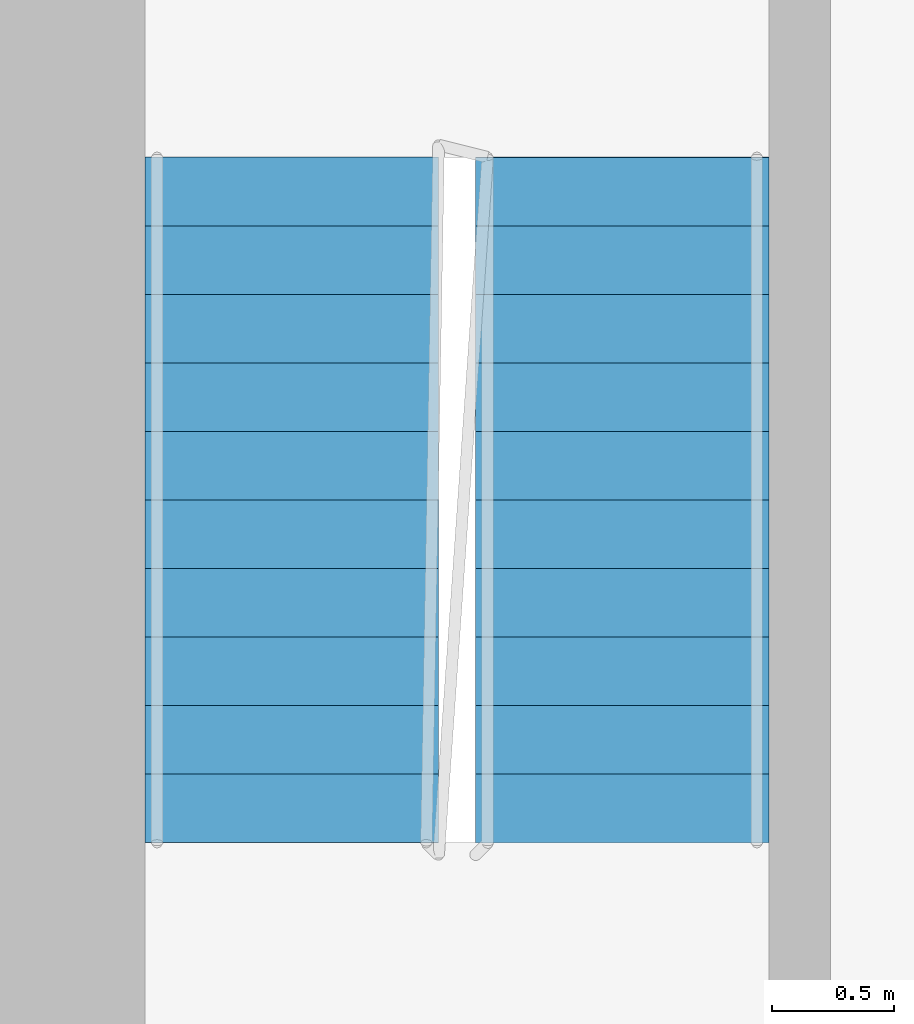
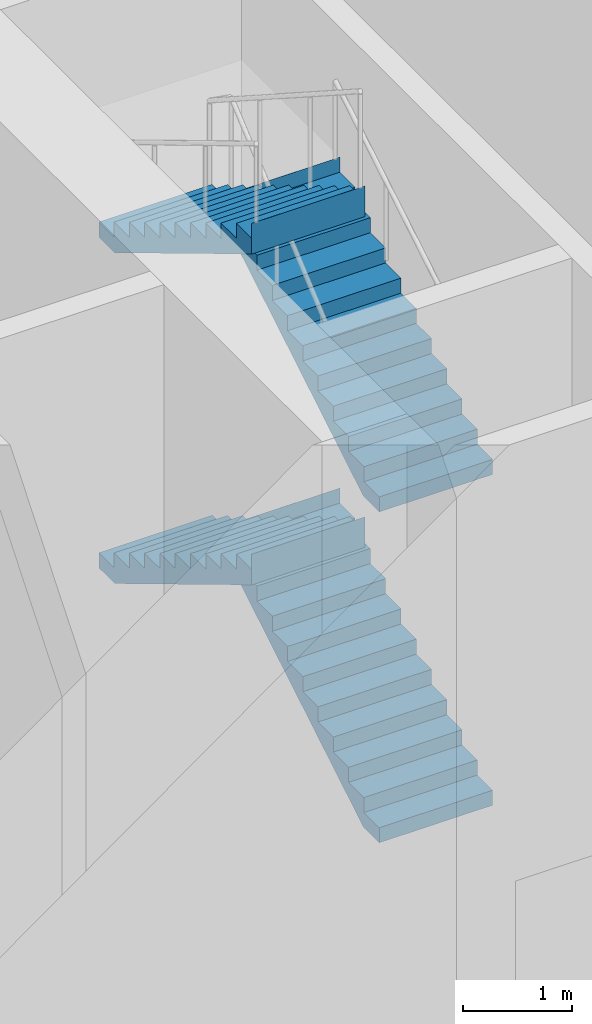
# One storey, part 21 of 25: 4 stair flights, 1 element without a shape of its own.
"""IFC4 building model written with IfcOpenShell, lengths in metres."""

from ifc_helpers import new_model, si_unit, direction, frame, origin, place, context, subcontext, project, spatial, faceted_brep, material, type_object, element, aggregate, save


model = new_model("IFC4")

# Units and contexts
model_context = context("Model", 3, precision=1e-05, world=origin(), true_north=direction((0.0, 1.0)))
body_context = subcontext(model_context, "Body", "Model", "MODEL_VIEW")
ifc_project = project(units=[si_unit("LENGTHUNIT", "METRE"), si_unit("AREAUNIT", "SQUARE_METRE"), si_unit("VOLUMEUNIT", "CUBIC_METRE"), si_unit("PLANEANGLEUNIT", "RADIAN"), si_unit("MASSUNIT", "GRAM", prefix="KILO")], contexts=[model_context])

# Site, building, storey
site_placement = place(None, origin())
site = spatial("IfcSite", under=ifc_project, at=site_placement, CompositionType="ELEMENT")
building_placement = place(site_placement, origin())
building = spatial("IfcBuilding", under=site, at=building_placement, Name="Kajstack Hotel Tower", CompositionType="ELEMENT")
storey_placement = place(building_placement, frame((0.0, 0.0, 155.0)))
storey = spatial("IfcBuildingStorey", under=building, at=storey_placement, Name="L36", CompositionType="ELEMENT", Elevation=155.0)

# Stair, stair flights
ifc_material = material(Name="Concrete C40/50", Category="concrete")
stair_type = type_object("IfcStairType", Name="Exit stair 1200", PredefinedType="HALF_TURN_STAIR", material=ifc_material)
stair_placement = place(storey_placement, origin())
stair = element("IfcStair", 1, at=stair_placement, inside=storey, type_object=stair_type, Name="L36 stair E1", PredefinedType="HALF_TURN_STAIR")
stair_flight_type = type_object("IfcStairFlightType", Name="Exit stair flight 1200", PredefinedType="STRAIGHT", material=ifc_material)
stair_flight_1_placement = place(storey_placement, frame((33.449951171875, 5.25, 0.0), z_axis=(0.0, 0.0, 1.0), x_axis=(0.0, 1.0, 0.0)))
stair_flight_1 = element("IfcStairFlight", 2, at=stair_flight_1_placement, type_object=stair_flight_type, Name="E1 flight 1", NumberOfRisers=11, NumberOfTreads=10, PredefinedType="STRAIGHT", RiserHeight=0.168181818, TreadLength=0.28, context=body_context, shape_type="Brep", body=[
    faceted_brep([(0.291748046875, -0.60009765625, 0.0), (2.800537109375, -0.60009765625, 1.5068359375), (2.800537109375, -0.60009765625, 1.85009765625), (2.800048828125, -0.60009765625, 1.85009765625), (2.800048828125, -0.60009765625, 1.681884765625), (2.52001953125, -0.60009765625, 1.681884765625), (2.52001953125, -0.60009765625, 1.513671875), (2.239990234375, -0.60009765625, 1.513671875), (2.239990234375, -0.60009765625, 1.345458984375), (1.9599609375, -0.60009765625, 1.345458984375), (1.9599609375, -0.60009765625, 1.17724609375), (1.679931640625, -0.60009765625, 1.17724609375), (1.679931640625, -0.60009765625, 1.009033203125), (1.39990234375, -0.60009765625, 1.009033203125), (1.39990234375, -0.60009765625, 0.8408203125), (1.1201171875, -0.60009765625, 0.8408203125), (1.1201171875, -0.60009765625, 0.672607421875), (0.840087890625, -0.60009765625, 0.672607421875), (0.840087890625, -0.60009765625, 0.504638671875), (0.56005859375, -0.60009765625, 0.504638671875), (0.56005859375, -0.60009765625, 0.33642578125), (0.280029296875, -0.60009765625, 0.33642578125), (0.280029296875, -0.60009765625, 0.168212890625), (-0.00048828125, -0.60009765625, 0.168212890625), (-0.00048828125, -0.60009765625, 0.0), (-0.00048828125, 0.60009765625, 0.0), (-0.00048828125, 0.60009765625, 0.168212890625), (0.280029296875, 0.60009765625, 0.168212890625), (0.280029296875, 0.60009765625, 0.33642578125), (0.56005859375, 0.60009765625, 0.33642578125), (0.56005859375, 0.60009765625, 0.504638671875), (0.840087890625, 0.60009765625, 0.504638671875), (0.840087890625, 0.60009765625, 0.672607421875), (1.1201171875, 0.60009765625, 0.672607421875), (1.1201171875, 0.60009765625, 0.8408203125), (1.39990234375, 0.60009765625, 0.8408203125), (1.39990234375, 0.60009765625, 1.009033203125), (1.679931640625, 0.60009765625, 1.009033203125), (1.679931640625, 0.60009765625, 1.17724609375), (1.9599609375, 0.60009765625, 1.17724609375), (1.9599609375, 0.60009765625, 1.345458984375), (2.239990234375, 0.60009765625, 1.345458984375), (2.239990234375, 0.60009765625, 1.513671875), (2.52001953125, 0.60009765625, 1.513671875), (2.52001953125, 0.60009765625, 1.681884765625), (2.800048828125, 0.60009765625, 1.681884765625), (2.800048828125, 0.60009765625, 1.85009765625), (2.800537109375, 0.60009765625, 1.85009765625), (2.800537109375, 0.60009765625, 1.5068359375), (0.291748046875, 0.60009765625, 0.0), (-0.00048828125, -0.300048828125, 0.168212890625), (-0.00048828125, 0.0, 0.168212890625), (-0.00048828125, 0.300048828125, 0.168212890625), (-0.00048828125, 0.300048828125, 0.0), (-0.00048828125, 0.0, 0.0), (-0.00048828125, -0.300048828125, 0.0), (0.280029296875, -0.300048828125, 0.168212890625), (0.280029296875, 0.0, 0.168212890625), (0.280029296875, 0.300048828125, 0.168212890625), (0.280029296875, -0.300048828125, 0.33642578125), (0.280029296875, 0.0, 0.33642578125), (0.280029296875, 0.300048828125, 0.33642578125), (0.56005859375, -0.300048828125, 0.33642578125), (0.56005859375, 0.0, 0.33642578125), (0.56005859375, 0.300048828125, 0.33642578125), (0.56005859375, -0.300048828125, 0.504638671875), (0.56005859375, 0.0, 0.504638671875), (0.56005859375, 0.300048828125, 0.504638671875), (0.840087890625, -0.300048828125, 0.504638671875), (0.840087890625, 0.0, 0.504638671875), (0.840087890625, 0.300048828125, 0.504638671875), (0.840087890625, -0.300048828125, 0.672607421875), (0.840087890625, 0.0, 0.672607421875), (0.840087890625, 0.300048828125, 0.672607421875), (1.1201171875, -0.300048828125, 0.672607421875), (1.1201171875, 0.0, 0.672607421875), (1.1201171875, 0.300048828125, 0.672607421875), (1.1201171875, -0.300048828125, 0.8408203125), (1.1201171875, 0.0, 0.8408203125), (1.1201171875, 0.300048828125, 0.8408203125), (1.39990234375, -0.300048828125, 0.8408203125), (1.39990234375, 0.0, 0.8408203125), (1.39990234375, 0.300048828125, 0.8408203125), (1.39990234375, -0.300048828125, 1.009033203125), (1.39990234375, 0.0, 1.009033203125), (1.39990234375, 0.300048828125, 1.009033203125), (1.679931640625, -0.300048828125, 1.009033203125), (1.679931640625, 0.0, 1.009033203125), (1.679931640625, 0.300048828125, 1.009033203125), (1.679931640625, -0.300048828125, 1.17724609375), (1.679931640625, 0.0, 1.17724609375), (1.679931640625, 0.300048828125, 1.17724609375), (1.9599609375, -0.300048828125, 1.17724609375), (1.9599609375, 0.0, 1.17724609375), (1.9599609375, 0.300048828125, 1.17724609375), (1.9599609375, -0.300048828125, 1.345458984375), (1.9599609375, 0.0, 1.345458984375), (1.9599609375, 0.300048828125, 1.345458984375), (2.239990234375, -0.300048828125, 1.345458984375), (2.239990234375, 0.0, 1.345458984375), (2.239990234375, 0.300048828125, 1.345458984375), (2.239990234375, -0.300048828125, 1.513671875), (2.239990234375, 0.0, 1.513671875), (2.239990234375, 0.300048828125, 1.513671875), (2.52001953125, -0.300048828125, 1.513671875), (2.52001953125, 0.0, 1.513671875), (2.52001953125, 0.300048828125, 1.513671875), (2.52001953125, -0.300048828125, 1.681884765625), (2.52001953125, 0.0, 1.681884765625), (2.52001953125, 0.300048828125, 1.681884765625), (2.800048828125, -0.300048828125, 1.681884765625), (2.800048828125, 0.0, 1.681884765625), (2.800048828125, 0.300048828125, 1.681884765625), (2.800048828125, -0.300048828125, 1.85009765625), (2.800048828125, 0.0, 1.85009765625), (2.800048828125, 0.300048828125, 1.85009765625), (2.800537109375, -0.300048828125, 1.85009765625), (2.800537109375, 0.0, 1.85009765625), (2.800537109375, 0.300048828125, 1.85009765625), (2.800537109375, -0.300048828125, 1.5068359375), (2.800537109375, 0.0, 1.5068359375), (2.800537109375, 0.300048828125, 1.5068359375), (0.291748046875, -0.300048828125, 0.0), (0.291748046875, 0.0, 0.0), (0.291748046875, 0.300048828125, 0.0)], [[[0, 1, 2, 3, 4, 5, 6, 7, 8, 9, 10, 11, 12, 13, 14, 15, 16, 17, 18, 19, 20, 21, 22, 23, 24]], [[25, 26, 27, 28, 29, 30, 31, 32, 33, 34, 35, 36, 37, 38, 39, 40, 41, 42, 43, 44, 45, 46, 47, 48, 49]], [[23, 50, 51, 52, 26, 25, 53, 54, 55, 24]], [[22, 56, 57, 58, 27, 26, 52, 51, 50, 23]], [[21, 59, 60, 61, 28, 27, 58, 57, 56, 22]], [[20, 62, 63, 64, 29, 28, 61, 60, 59, 21]], [[19, 65, 66, 67, 30, 29, 64, 63, 62, 20]], [[18, 68, 69, 70, 31, 30, 67, 66, 65, 19]], [[17, 71, 72, 73, 32, 31, 70, 69, 68, 18]], [[16, 74, 75, 76, 33, 32, 73, 72, 71, 17]], [[15, 77, 78, 79, 34, 33, 76, 75, 74, 16]], [[14, 80, 81, 82, 35, 34, 79, 78, 77, 15]], [[13, 83, 84, 85, 36, 35, 82, 81, 80, 14]], [[12, 86, 87, 88, 37, 36, 85, 84, 83, 13]], [[11, 89, 90, 91, 38, 37, 88, 87, 86, 12]], [[10, 92, 93, 94, 39, 38, 91, 90, 89, 11]], [[9, 95, 96, 97, 40, 39, 94, 93, 92, 10]], [[8, 98, 99, 100, 41, 40, 97, 96, 95, 9]], [[7, 101, 102, 103, 42, 41, 100, 99, 98, 8]], [[6, 104, 105, 106, 43, 42, 103, 102, 101, 7]], [[5, 107, 108, 109, 44, 43, 106, 105, 104, 6]], [[4, 110, 111, 112, 45, 44, 109, 108, 107, 5]], [[3, 113, 114, 115, 46, 45, 112, 111, 110, 4]], [[2, 116, 117, 118, 47, 46, 115, 114, 113, 3]], [[1, 119, 120, 121, 48, 47, 118, 117, 116, 2]], [[0, 122, 123, 124, 49, 48, 121, 120, 119, 1]], [[24, 55, 54, 53, 25, 49, 124, 123, 122, 0]]]),
])
stair_flight_2_placement = place(storey_placement, frame((32.10009765625, 8.050048828125, 1.85009765625), z_axis=(0.0, 0.0, 1.0), x_axis=(0.0, -1.0, 0.0)))
stair_flight_2 = element("IfcStairFlight", 3, at=stair_flight_2_placement, type_object=stair_flight_type, Name="E1 flight 2", NumberOfRisers=11, NumberOfTreads=10, PredefinedType="STRAIGHT", RiserHeight=0.168181818, TreadLength=0.28, context=body_context, shape_type="Brep", body=[
    faceted_brep([(0.291748046875, -0.60009765625, 0.0), (2.800537109375, -0.60009765625, 1.5068359375), (2.800537109375, -0.60009765625, 1.85009765625), (2.800048828125, -0.60009765625, 1.85009765625), (2.800048828125, -0.60009765625, 1.681884765625), (2.52001953125, -0.60009765625, 1.681884765625), (2.52001953125, -0.60009765625, 1.513671875), (2.239990234375, -0.60009765625, 1.513671875), (2.239990234375, -0.60009765625, 1.345458984375), (1.9599609375, -0.60009765625, 1.345458984375), (1.9599609375, -0.60009765625, 1.17724609375), (1.679931640625, -0.60009765625, 1.17724609375), (1.679931640625, -0.60009765625, 1.009033203125), (1.39990234375, -0.60009765625, 1.009033203125), (1.39990234375, -0.60009765625, 0.8408203125), (1.1201171875, -0.60009765625, 0.8408203125), (1.1201171875, -0.60009765625, 0.672607421875), (0.840087890625, -0.60009765625, 0.672607421875), (0.840087890625, -0.60009765625, 0.504638671875), (0.56005859375, -0.60009765625, 0.504638671875), (0.56005859375, -0.60009765625, 0.33642578125), (0.280029296875, -0.60009765625, 0.33642578125), (0.280029296875, -0.60009765625, 0.168212890625), (-0.00048828125, -0.60009765625, 0.168212890625), (-0.00048828125, -0.60009765625, 0.0), (-0.00048828125, 0.60009765625, 0.0), (-0.00048828125, 0.60009765625, 0.168212890625), (0.280029296875, 0.60009765625, 0.168212890625), (0.280029296875, 0.60009765625, 0.33642578125), (0.56005859375, 0.60009765625, 0.33642578125), (0.56005859375, 0.60009765625, 0.504638671875), (0.840087890625, 0.60009765625, 0.504638671875), (0.840087890625, 0.60009765625, 0.672607421875), (1.1201171875, 0.60009765625, 0.672607421875), (1.1201171875, 0.60009765625, 0.8408203125), (1.39990234375, 0.60009765625, 0.8408203125), (1.39990234375, 0.60009765625, 1.009033203125), (1.679931640625, 0.60009765625, 1.009033203125), (1.679931640625, 0.60009765625, 1.17724609375), (1.9599609375, 0.60009765625, 1.17724609375), (1.9599609375, 0.60009765625, 1.345458984375), (2.239990234375, 0.60009765625, 1.345458984375), (2.239990234375, 0.60009765625, 1.513671875), (2.52001953125, 0.60009765625, 1.513671875), (2.52001953125, 0.60009765625, 1.681884765625), (2.800048828125, 0.60009765625, 1.681884765625), (2.800048828125, 0.60009765625, 1.85009765625), (2.800537109375, 0.60009765625, 1.85009765625), (2.800537109375, 0.60009765625, 1.5068359375), (0.291748046875, 0.60009765625, 0.0), (-0.00048828125, -0.300048828125, 0.168212890625), (-0.00048828125, 0.0, 0.168212890625), (-0.00048828125, 0.300048828125, 0.168212890625), (-0.00048828125, 0.300048828125, 0.0), (-0.00048828125, 0.0, 0.0), (-0.00048828125, -0.300048828125, 0.0), (0.280029296875, -0.300048828125, 0.168212890625), (0.280029296875, 0.0, 0.168212890625), (0.280029296875, 0.300048828125, 0.168212890625), (0.280029296875, -0.300048828125, 0.33642578125), (0.280029296875, 0.0, 0.33642578125), (0.280029296875, 0.300048828125, 0.33642578125), (0.56005859375, -0.300048828125, 0.33642578125), (0.56005859375, 0.0, 0.33642578125), (0.56005859375, 0.300048828125, 0.33642578125), (0.56005859375, -0.300048828125, 0.504638671875), (0.56005859375, 0.0, 0.504638671875), (0.56005859375, 0.300048828125, 0.504638671875), (0.840087890625, -0.300048828125, 0.504638671875), (0.840087890625, 0.0, 0.504638671875), (0.840087890625, 0.300048828125, 0.504638671875), (0.840087890625, -0.300048828125, 0.672607421875), (0.840087890625, 0.0, 0.672607421875), (0.840087890625, 0.300048828125, 0.672607421875), (1.1201171875, -0.300048828125, 0.672607421875), (1.1201171875, 0.0, 0.672607421875), (1.1201171875, 0.300048828125, 0.672607421875), (1.1201171875, -0.300048828125, 0.8408203125), (1.1201171875, 0.0, 0.8408203125), (1.1201171875, 0.300048828125, 0.8408203125), (1.39990234375, -0.300048828125, 0.8408203125), (1.39990234375, 0.0, 0.8408203125), (1.39990234375, 0.300048828125, 0.8408203125), (1.39990234375, -0.300048828125, 1.009033203125), (1.39990234375, 0.0, 1.009033203125), (1.39990234375, 0.300048828125, 1.009033203125), (1.679931640625, -0.300048828125, 1.009033203125), (1.679931640625, 0.0, 1.009033203125), (1.679931640625, 0.300048828125, 1.009033203125), (1.679931640625, -0.300048828125, 1.17724609375), (1.679931640625, 0.0, 1.17724609375), (1.679931640625, 0.300048828125, 1.17724609375), (1.9599609375, -0.300048828125, 1.17724609375), (1.9599609375, 0.0, 1.17724609375), (1.9599609375, 0.300048828125, 1.17724609375), (1.9599609375, -0.300048828125, 1.345458984375), (1.9599609375, 0.0, 1.345458984375), (1.9599609375, 0.300048828125, 1.345458984375), (2.239990234375, -0.300048828125, 1.345458984375), (2.239990234375, 0.0, 1.345458984375), (2.239990234375, 0.300048828125, 1.345458984375), (2.239990234375, -0.300048828125, 1.513671875), (2.239990234375, 0.0, 1.513671875), (2.239990234375, 0.300048828125, 1.513671875), (2.52001953125, -0.300048828125, 1.513671875), (2.52001953125, 0.0, 1.513671875), (2.52001953125, 0.300048828125, 1.513671875), (2.52001953125, -0.300048828125, 1.681884765625), (2.52001953125, 0.0, 1.681884765625), (2.52001953125, 0.300048828125, 1.681884765625), (2.800048828125, -0.300048828125, 1.681884765625), (2.800048828125, 0.0, 1.681884765625), (2.800048828125, 0.300048828125, 1.681884765625), (2.800048828125, -0.300048828125, 1.85009765625), (2.800048828125, 0.0, 1.85009765625), (2.800048828125, 0.300048828125, 1.85009765625), (2.800537109375, -0.300048828125, 1.85009765625), (2.800537109375, 0.0, 1.85009765625), (2.800537109375, 0.300048828125, 1.85009765625), (2.800537109375, -0.300048828125, 1.5068359375), (2.800537109375, 0.0, 1.5068359375), (2.800537109375, 0.300048828125, 1.5068359375), (0.291748046875, -0.300048828125, 0.0), (0.291748046875, 0.0, 0.0), (0.291748046875, 0.300048828125, 0.0)], [[[0, 1, 2, 3, 4, 5, 6, 7, 8, 9, 10, 11, 12, 13, 14, 15, 16, 17, 18, 19, 20, 21, 22, 23, 24]], [[25, 26, 27, 28, 29, 30, 31, 32, 33, 34, 35, 36, 37, 38, 39, 40, 41, 42, 43, 44, 45, 46, 47, 48, 49]], [[23, 50, 51, 52, 26, 25, 53, 54, 55, 24]], [[22, 56, 57, 58, 27, 26, 52, 51, 50, 23]], [[21, 59, 60, 61, 28, 27, 58, 57, 56, 22]], [[20, 62, 63, 64, 29, 28, 61, 60, 59, 21]], [[19, 65, 66, 67, 30, 29, 64, 63, 62, 20]], [[18, 68, 69, 70, 31, 30, 67, 66, 65, 19]], [[17, 71, 72, 73, 32, 31, 70, 69, 68, 18]], [[16, 74, 75, 76, 33, 32, 73, 72, 71, 17]], [[15, 77, 78, 79, 34, 33, 76, 75, 74, 16]], [[14, 80, 81, 82, 35, 34, 79, 78, 77, 15]], [[13, 83, 84, 85, 36, 35, 82, 81, 80, 14]], [[12, 86, 87, 88, 37, 36, 85, 84, 83, 13]], [[11, 89, 90, 91, 38, 37, 88, 87, 86, 12]], [[10, 92, 93, 94, 39, 38, 91, 90, 89, 11]], [[9, 95, 96, 97, 40, 39, 94, 93, 92, 10]], [[8, 98, 99, 100, 41, 40, 97, 96, 95, 9]], [[7, 101, 102, 103, 42, 41, 100, 99, 98, 8]], [[6, 104, 105, 106, 43, 42, 103, 102, 101, 7]], [[5, 107, 108, 109, 44, 43, 106, 105, 104, 6]], [[4, 110, 111, 112, 45, 44, 109, 108, 107, 5]], [[3, 113, 114, 115, 46, 45, 112, 111, 110, 4]], [[2, 116, 117, 118, 47, 46, 115, 114, 113, 3]], [[1, 119, 120, 121, 48, 47, 118, 117, 116, 2]], [[0, 122, 123, 124, 49, 48, 121, 120, 119, 1]], [[24, 55, 54, 53, 25, 49, 124, 123, 122, 0]]]),
])
stair_flight_3_placement = place(storey_placement, frame((33.449951171875, 5.25, 3.699951171875), z_axis=(0.0, 0.0, 1.0), x_axis=(0.0, 1.0, 0.0)))
stair_flight_3 = element("IfcStairFlight", 4, at=stair_flight_3_placement, type_object=stair_flight_type, Name="E1 flight 3", NumberOfRisers=11, NumberOfTreads=10, PredefinedType="STRAIGHT", RiserHeight=0.168181818, TreadLength=0.28, context=body_context, shape_type="Brep", body=[
    faceted_brep([(0.291748046875, -0.60009765625, 0.0), (2.800537109375, -0.60009765625, 1.5068359375), (2.800537109375, -0.60009765625, 1.85009765625), (2.800048828125, -0.60009765625, 1.85009765625), (2.800048828125, -0.60009765625, 1.681884765625), (2.52001953125, -0.60009765625, 1.681884765625), (2.52001953125, -0.60009765625, 1.513671875), (2.239990234375, -0.60009765625, 1.513671875), (2.239990234375, -0.60009765625, 1.345458984375), (1.9599609375, -0.60009765625, 1.345458984375), (1.9599609375, -0.60009765625, 1.17724609375), (1.679931640625, -0.60009765625, 1.17724609375), (1.679931640625, -0.60009765625, 1.009033203125), (1.39990234375, -0.60009765625, 1.009033203125), (1.39990234375, -0.60009765625, 0.8408203125), (1.1201171875, -0.60009765625, 0.8408203125), (1.1201171875, -0.60009765625, 0.672607421875), (0.840087890625, -0.60009765625, 0.672607421875), (0.840087890625, -0.60009765625, 0.504638671875), (0.56005859375, -0.60009765625, 0.504638671875), (0.56005859375, -0.60009765625, 0.33642578125), (0.280029296875, -0.60009765625, 0.33642578125), (0.280029296875, -0.60009765625, 0.168212890625), (-0.00048828125, -0.60009765625, 0.168212890625), (-0.00048828125, -0.60009765625, 0.0), (-0.00048828125, 0.60009765625, 0.0), (-0.00048828125, 0.60009765625, 0.168212890625), (0.280029296875, 0.60009765625, 0.168212890625), (0.280029296875, 0.60009765625, 0.33642578125), (0.56005859375, 0.60009765625, 0.33642578125), (0.56005859375, 0.60009765625, 0.504638671875), (0.840087890625, 0.60009765625, 0.504638671875), (0.840087890625, 0.60009765625, 0.672607421875), (1.1201171875, 0.60009765625, 0.672607421875), (1.1201171875, 0.60009765625, 0.8408203125), (1.39990234375, 0.60009765625, 0.8408203125), (1.39990234375, 0.60009765625, 1.009033203125), (1.679931640625, 0.60009765625, 1.009033203125), (1.679931640625, 0.60009765625, 1.17724609375), (1.9599609375, 0.60009765625, 1.17724609375), (1.9599609375, 0.60009765625, 1.345458984375), (2.239990234375, 0.60009765625, 1.345458984375), (2.239990234375, 0.60009765625, 1.513671875), (2.52001953125, 0.60009765625, 1.513671875), (2.52001953125, 0.60009765625, 1.681884765625), (2.800048828125, 0.60009765625, 1.681884765625), (2.800048828125, 0.60009765625, 1.85009765625), (2.800537109375, 0.60009765625, 1.85009765625), (2.800537109375, 0.60009765625, 1.5068359375), (0.291748046875, 0.60009765625, 0.0), (-0.00048828125, -0.300048828125, 0.168212890625), (-0.00048828125, 0.0, 0.168212890625), (-0.00048828125, 0.300048828125, 0.168212890625), (-0.00048828125, 0.300048828125, 0.0), (-0.00048828125, 0.0, 0.0), (-0.00048828125, -0.300048828125, 0.0), (0.280029296875, -0.300048828125, 0.168212890625), (0.280029296875, 0.0, 0.168212890625), (0.280029296875, 0.300048828125, 0.168212890625), (0.280029296875, -0.300048828125, 0.33642578125), (0.280029296875, 0.0, 0.33642578125), (0.280029296875, 0.300048828125, 0.33642578125), (0.56005859375, -0.300048828125, 0.33642578125), (0.56005859375, 0.0, 0.33642578125), (0.56005859375, 0.300048828125, 0.33642578125), (0.56005859375, -0.300048828125, 0.504638671875), (0.56005859375, 0.0, 0.504638671875), (0.56005859375, 0.300048828125, 0.504638671875), (0.840087890625, -0.300048828125, 0.504638671875), (0.840087890625, 0.0, 0.504638671875), (0.840087890625, 0.300048828125, 0.504638671875), (0.840087890625, -0.300048828125, 0.672607421875), (0.840087890625, 0.0, 0.672607421875), (0.840087890625, 0.300048828125, 0.672607421875), (1.1201171875, -0.300048828125, 0.672607421875), (1.1201171875, 0.0, 0.672607421875), (1.1201171875, 0.300048828125, 0.672607421875), (1.1201171875, -0.300048828125, 0.8408203125), (1.1201171875, 0.0, 0.8408203125), (1.1201171875, 0.300048828125, 0.8408203125), (1.39990234375, -0.300048828125, 0.8408203125), (1.39990234375, 0.0, 0.8408203125), (1.39990234375, 0.300048828125, 0.8408203125), (1.39990234375, -0.300048828125, 1.009033203125), (1.39990234375, 0.0, 1.009033203125), (1.39990234375, 0.300048828125, 1.009033203125), (1.679931640625, -0.300048828125, 1.009033203125), (1.679931640625, 0.0, 1.009033203125), (1.679931640625, 0.300048828125, 1.009033203125), (1.679931640625, -0.300048828125, 1.17724609375), (1.679931640625, 0.0, 1.17724609375), (1.679931640625, 0.300048828125, 1.17724609375), (1.9599609375, -0.300048828125, 1.17724609375), (1.9599609375, 0.0, 1.17724609375), (1.9599609375, 0.300048828125, 1.17724609375), (1.9599609375, -0.300048828125, 1.345458984375), (1.9599609375, 0.0, 1.345458984375), (1.9599609375, 0.300048828125, 1.345458984375), (2.239990234375, -0.300048828125, 1.345458984375), (2.239990234375, 0.0, 1.345458984375), (2.239990234375, 0.300048828125, 1.345458984375), (2.239990234375, -0.300048828125, 1.513671875), (2.239990234375, 0.0, 1.513671875), (2.239990234375, 0.300048828125, 1.513671875), (2.52001953125, -0.300048828125, 1.513671875), (2.52001953125, 0.0, 1.513671875), (2.52001953125, 0.300048828125, 1.513671875), (2.52001953125, -0.300048828125, 1.681884765625), (2.52001953125, 0.0, 1.681884765625), (2.52001953125, 0.300048828125, 1.681884765625), (2.800048828125, -0.300048828125, 1.681884765625), (2.800048828125, 0.0, 1.681884765625), (2.800048828125, 0.300048828125, 1.681884765625), (2.800048828125, -0.300048828125, 1.85009765625), (2.800048828125, 0.0, 1.85009765625), (2.800048828125, 0.300048828125, 1.85009765625), (2.800537109375, -0.300048828125, 1.85009765625), (2.800537109375, 0.0, 1.85009765625), (2.800537109375, 0.300048828125, 1.85009765625), (2.800537109375, -0.300048828125, 1.5068359375), (2.800537109375, 0.0, 1.5068359375), (2.800537109375, 0.300048828125, 1.5068359375), (0.291748046875, -0.300048828125, 0.0), (0.291748046875, 0.0, 0.0), (0.291748046875, 0.300048828125, 0.0)], [[[0, 1, 2, 3, 4, 5, 6, 7, 8, 9, 10, 11, 12, 13, 14, 15, 16, 17, 18, 19, 20, 21, 22, 23, 24]], [[25, 26, 27, 28, 29, 30, 31, 32, 33, 34, 35, 36, 37, 38, 39, 40, 41, 42, 43, 44, 45, 46, 47, 48, 49]], [[23, 50, 51, 52, 26, 25, 53, 54, 55, 24]], [[22, 56, 57, 58, 27, 26, 52, 51, 50, 23]], [[21, 59, 60, 61, 28, 27, 58, 57, 56, 22]], [[20, 62, 63, 64, 29, 28, 61, 60, 59, 21]], [[19, 65, 66, 67, 30, 29, 64, 63, 62, 20]], [[18, 68, 69, 70, 31, 30, 67, 66, 65, 19]], [[17, 71, 72, 73, 32, 31, 70, 69, 68, 18]], [[16, 74, 75, 76, 33, 32, 73, 72, 71, 17]], [[15, 77, 78, 79, 34, 33, 76, 75, 74, 16]], [[14, 80, 81, 82, 35, 34, 79, 78, 77, 15]], [[13, 83, 84, 85, 36, 35, 82, 81, 80, 14]], [[12, 86, 87, 88, 37, 36, 85, 84, 83, 13]], [[11, 89, 90, 91, 38, 37, 88, 87, 86, 12]], [[10, 92, 93, 94, 39, 38, 91, 90, 89, 11]], [[9, 95, 96, 97, 40, 39, 94, 93, 92, 10]], [[8, 98, 99, 100, 41, 40, 97, 96, 95, 9]], [[7, 101, 102, 103, 42, 41, 100, 99, 98, 8]], [[6, 104, 105, 106, 43, 42, 103, 102, 101, 7]], [[5, 107, 108, 109, 44, 43, 106, 105, 104, 6]], [[4, 110, 111, 112, 45, 44, 109, 108, 107, 5]], [[3, 113, 114, 115, 46, 45, 112, 111, 110, 4]], [[2, 116, 117, 118, 47, 46, 115, 114, 113, 3]], [[1, 119, 120, 121, 48, 47, 118, 117, 116, 2]], [[0, 122, 123, 124, 49, 48, 121, 120, 119, 1]], [[24, 55, 54, 53, 25, 49, 124, 123, 122, 0]]]),
])
stair_flight_4_placement = place(storey_placement, frame((32.10009765625, 8.050048828125, 5.550048828125), z_axis=(0.0, 0.0, 1.0), x_axis=(0.0, -1.0, 0.0)))
stair_flight_4 = element("IfcStairFlight", 5, at=stair_flight_4_placement, type_object=stair_flight_type, Name="E1 flight 4", NumberOfRisers=11, NumberOfTreads=10, PredefinedType="STRAIGHT", RiserHeight=0.168181818, TreadLength=0.28, context=body_context, shape_type="Brep", body=[
    faceted_brep([(0.291748046875, -0.60009765625, 0.0), (2.800537109375, -0.60009765625, 1.5068359375), (2.800537109375, -0.60009765625, 1.85009765625), (2.800048828125, -0.60009765625, 1.85009765625), (2.800048828125, -0.60009765625, 1.681884765625), (2.52001953125, -0.60009765625, 1.681884765625), (2.52001953125, -0.60009765625, 1.513671875), (2.239990234375, -0.60009765625, 1.513671875), (2.239990234375, -0.60009765625, 1.345458984375), (1.9599609375, -0.60009765625, 1.345458984375), (1.9599609375, -0.60009765625, 1.17724609375), (1.679931640625, -0.60009765625, 1.17724609375), (1.679931640625, -0.60009765625, 1.009033203125), (1.39990234375, -0.60009765625, 1.009033203125), (1.39990234375, -0.60009765625, 0.8408203125), (1.1201171875, -0.60009765625, 0.8408203125), (1.1201171875, -0.60009765625, 0.672607421875), (0.840087890625, -0.60009765625, 0.672607421875), (0.840087890625, -0.60009765625, 0.504638671875), (0.56005859375, -0.60009765625, 0.504638671875), (0.56005859375, -0.60009765625, 0.33642578125), (0.280029296875, -0.60009765625, 0.33642578125), (0.280029296875, -0.60009765625, 0.168212890625), (-0.00048828125, -0.60009765625, 0.168212890625), (-0.00048828125, -0.60009765625, 0.0), (-0.00048828125, 0.60009765625, 0.0), (-0.00048828125, 0.60009765625, 0.168212890625), (0.280029296875, 0.60009765625, 0.168212890625), (0.280029296875, 0.60009765625, 0.33642578125), (0.56005859375, 0.60009765625, 0.33642578125), (0.56005859375, 0.60009765625, 0.504638671875), (0.840087890625, 0.60009765625, 0.504638671875), (0.840087890625, 0.60009765625, 0.672607421875), (1.1201171875, 0.60009765625, 0.672607421875), (1.1201171875, 0.60009765625, 0.8408203125), (1.39990234375, 0.60009765625, 0.8408203125), (1.39990234375, 0.60009765625, 1.009033203125), (1.679931640625, 0.60009765625, 1.009033203125), (1.679931640625, 0.60009765625, 1.17724609375), (1.9599609375, 0.60009765625, 1.17724609375), (1.9599609375, 0.60009765625, 1.345458984375), (2.239990234375, 0.60009765625, 1.345458984375), (2.239990234375, 0.60009765625, 1.513671875), (2.52001953125, 0.60009765625, 1.513671875), (2.52001953125, 0.60009765625, 1.681884765625), (2.800048828125, 0.60009765625, 1.681884765625), (2.800048828125, 0.60009765625, 1.85009765625), (2.800537109375, 0.60009765625, 1.85009765625), (2.800537109375, 0.60009765625, 1.5068359375), (0.291748046875, 0.60009765625, 0.0), (-0.00048828125, -0.300048828125, 0.168212890625), (-0.00048828125, 0.0, 0.168212890625), (-0.00048828125, 0.300048828125, 0.168212890625), (-0.00048828125, 0.300048828125, 0.0), (-0.00048828125, 0.0, 0.0), (-0.00048828125, -0.300048828125, 0.0), (0.280029296875, -0.300048828125, 0.168212890625), (0.280029296875, 0.0, 0.168212890625), (0.280029296875, 0.300048828125, 0.168212890625), (0.280029296875, -0.300048828125, 0.33642578125), (0.280029296875, 0.0, 0.33642578125), (0.280029296875, 0.300048828125, 0.33642578125), (0.56005859375, -0.300048828125, 0.33642578125), (0.56005859375, 0.0, 0.33642578125), (0.56005859375, 0.300048828125, 0.33642578125), (0.56005859375, -0.300048828125, 0.504638671875), (0.56005859375, 0.0, 0.504638671875), (0.56005859375, 0.300048828125, 0.504638671875), (0.840087890625, -0.300048828125, 0.504638671875), (0.840087890625, 0.0, 0.504638671875), (0.840087890625, 0.300048828125, 0.504638671875), (0.840087890625, -0.300048828125, 0.672607421875), (0.840087890625, 0.0, 0.672607421875), (0.840087890625, 0.300048828125, 0.672607421875), (1.1201171875, -0.300048828125, 0.672607421875), (1.1201171875, 0.0, 0.672607421875), (1.1201171875, 0.300048828125, 0.672607421875), (1.1201171875, -0.300048828125, 0.8408203125), (1.1201171875, 0.0, 0.8408203125), (1.1201171875, 0.300048828125, 0.8408203125), (1.39990234375, -0.300048828125, 0.8408203125), (1.39990234375, 0.0, 0.8408203125), (1.39990234375, 0.300048828125, 0.8408203125), (1.39990234375, -0.300048828125, 1.009033203125), (1.39990234375, 0.0, 1.009033203125), (1.39990234375, 0.300048828125, 1.009033203125), (1.679931640625, -0.300048828125, 1.009033203125), (1.679931640625, 0.0, 1.009033203125), (1.679931640625, 0.300048828125, 1.009033203125), (1.679931640625, -0.300048828125, 1.17724609375), (1.679931640625, 0.0, 1.17724609375), (1.679931640625, 0.300048828125, 1.17724609375), (1.9599609375, -0.300048828125, 1.17724609375), (1.9599609375, 0.0, 1.17724609375), (1.9599609375, 0.300048828125, 1.17724609375), (1.9599609375, -0.300048828125, 1.345458984375), (1.9599609375, 0.0, 1.345458984375), (1.9599609375, 0.300048828125, 1.345458984375), (2.239990234375, -0.300048828125, 1.345458984375), (2.239990234375, 0.0, 1.345458984375), (2.239990234375, 0.300048828125, 1.345458984375), (2.239990234375, -0.300048828125, 1.513671875), (2.239990234375, 0.0, 1.513671875), (2.239990234375, 0.300048828125, 1.513671875), (2.52001953125, -0.300048828125, 1.513671875), (2.52001953125, 0.0, 1.513671875), (2.52001953125, 0.300048828125, 1.513671875), (2.52001953125, -0.300048828125, 1.681884765625), (2.52001953125, 0.0, 1.681884765625), (2.52001953125, 0.300048828125, 1.681884765625), (2.800048828125, -0.300048828125, 1.681884765625), (2.800048828125, 0.0, 1.681884765625), (2.800048828125, 0.300048828125, 1.681884765625), (2.800048828125, -0.300048828125, 1.85009765625), (2.800048828125, 0.0, 1.85009765625), (2.800048828125, 0.300048828125, 1.85009765625), (2.800537109375, -0.300048828125, 1.85009765625), (2.800537109375, 0.0, 1.85009765625), (2.800537109375, 0.300048828125, 1.85009765625), (2.800537109375, -0.300048828125, 1.5068359375), (2.800537109375, 0.0, 1.5068359375), (2.800537109375, 0.300048828125, 1.5068359375), (0.291748046875, -0.300048828125, 0.0), (0.291748046875, 0.0, 0.0), (0.291748046875, 0.300048828125, 0.0)], [[[0, 1, 2, 3, 4, 5, 6, 7, 8, 9, 10, 11, 12, 13, 14, 15, 16, 17, 18, 19, 20, 21, 22, 23, 24]], [[25, 26, 27, 28, 29, 30, 31, 32, 33, 34, 35, 36, 37, 38, 39, 40, 41, 42, 43, 44, 45, 46, 47, 48, 49]], [[23, 50, 51, 52, 26, 25, 53, 54, 55, 24]], [[22, 56, 57, 58, 27, 26, 52, 51, 50, 23]], [[21, 59, 60, 61, 28, 27, 58, 57, 56, 22]], [[20, 62, 63, 64, 29, 28, 61, 60, 59, 21]], [[19, 65, 66, 67, 30, 29, 64, 63, 62, 20]], [[18, 68, 69, 70, 31, 30, 67, 66, 65, 19]], [[17, 71, 72, 73, 32, 31, 70, 69, 68, 18]], [[16, 74, 75, 76, 33, 32, 73, 72, 71, 17]], [[15, 77, 78, 79, 34, 33, 76, 75, 74, 16]], [[14, 80, 81, 82, 35, 34, 79, 78, 77, 15]], [[13, 83, 84, 85, 36, 35, 82, 81, 80, 14]], [[12, 86, 87, 88, 37, 36, 85, 84, 83, 13]], [[11, 89, 90, 91, 38, 37, 88, 87, 86, 12]], [[10, 92, 93, 94, 39, 38, 91, 90, 89, 11]], [[9, 95, 96, 97, 40, 39, 94, 93, 92, 10]], [[8, 98, 99, 100, 41, 40, 97, 96, 95, 9]], [[7, 101, 102, 103, 42, 41, 100, 99, 98, 8]], [[6, 104, 105, 106, 43, 42, 103, 102, 101, 7]], [[5, 107, 108, 109, 44, 43, 106, 105, 104, 6]], [[4, 110, 111, 112, 45, 44, 109, 108, 107, 5]], [[3, 113, 114, 115, 46, 45, 112, 111, 110, 4]], [[2, 116, 117, 118, 47, 46, 115, 114, 113, 3]], [[1, 119, 120, 121, 48, 47, 118, 117, 116, 2]], [[0, 122, 123, 124, 49, 48, 121, 120, 119, 1]], [[24, 55, 54, 53, 25, 49, 124, 123, 122, 0]]]),
])
aggregate(stair, [stair_flight_1, stair_flight_2, stair_flight_3, stair_flight_4])

save(model, "model.ifc")
